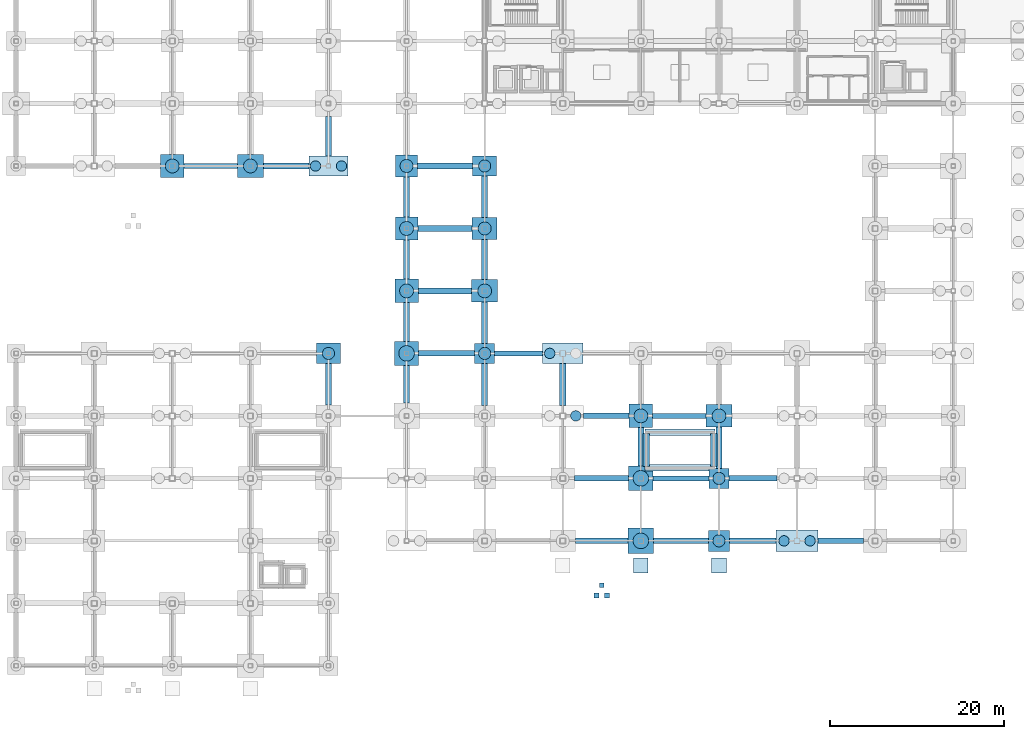
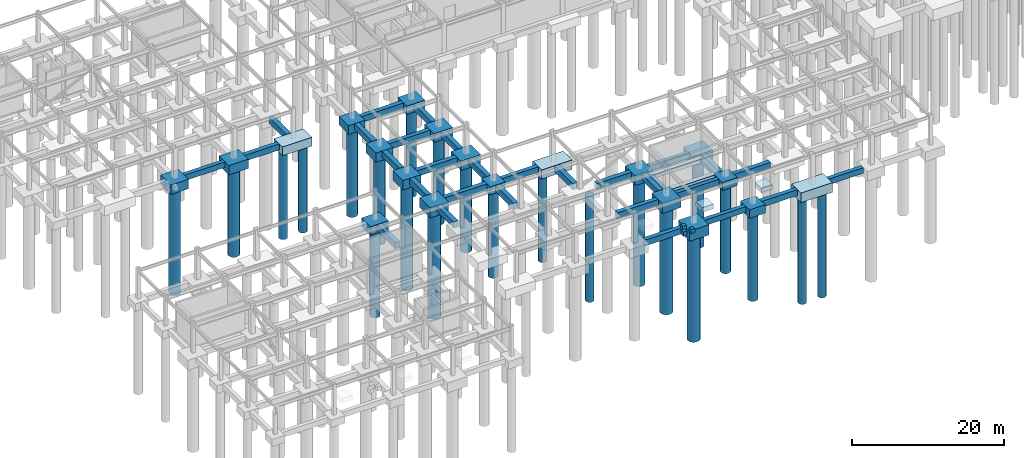
# One storey, part 3 of 28: 58 footings, 23 piles.
"""IFC4 building model written with IfcOpenShell, lengths in metres."""

from ifc_helpers import new_model, si_unit, direction, frame, origin, origin_2d, place, context, subcontext, project, spatial, rectangle, circle, extrude, material, material_profile, profile_set, type_object, element, save


model = new_model("IFC4")

# Units and contexts
model_context = context("Model", 3, precision=1e-05, world=origin(), true_north=direction((0.0, 1.0)))
body_context = subcontext(model_context, "Body", "Model", "MODEL_VIEW")
ifc_project = project(units=[si_unit("LENGTHUNIT", "METRE"), si_unit("AREAUNIT", "SQUARE_METRE"), si_unit("VOLUMEUNIT", "CUBIC_METRE"), si_unit("PLANEANGLEUNIT", "RADIAN"), si_unit("MASSUNIT", "GRAM", prefix="KILO")], contexts=[model_context])

# Site, building, storey
site_placement = place(None, origin())
site = spatial("IfcSite", under=ifc_project, at=site_placement, CompositionType="ELEMENT")
building_placement = place(site_placement, origin())
building = spatial("IfcBuilding", under=site, at=building_placement, Name="Kazanami Central Library", CompositionType="ELEMENT")
storey_placement = place(building_placement, frame((0.0, 0.0, -4.89990234375)))
storey = spatial("IfcBuildingStorey", under=building, at=storey_placement, Name="B01", CompositionType="ELEMENT", Elevation=-4.89990234375)

# Footings
ifc_material_1 = material(Name="Concrete Fc36 (36 MPa)", Category="concrete")
ifc_material_profile_1 = material_profile(ifc_material_1, rectangle(XDim=0.60009765625, YDim=0.89990234375, at=origin_2d()), Name="RC-600x900")
ifc_profile_set_1 = profile_set([ifc_material_profile_1], Name="Concrete Fc36 (36 MPa)")
footing_type_1 = type_object("IfcFootingType", Name="FTG-GB-02", PredefinedType="FOOTING_BEAM", material=ifc_profile_set_1)
footing_1_placement = place(storey_placement, frame((73.47509765625, 14.39990234375, -0.4501953125), z_axis=(1.0, 0.0, 0.0), x_axis=(0.0, 1.0, 0.0)))
element("IfcFooting", 1, at=footing_1_placement, inside=storey, type_object=footing_type_1, Name="Ground Tie Beam GB-02 C/9-10", PredefinedType="FOOTING_BEAM", context=body_context, shape_type="SweptSolid", body=[
    extrude(rectangle(XDim=0.60009765625, YDim=0.89990234375, at=origin_2d()), origin(), (0.0, 0.0, 1.0), 6.324951171875),
])
footing_2_placement = place(storey_placement, frame((92.39990234375, 14.39990234375, -0.4501953125), z_axis=(1.0, 0.0, 0.0), x_axis=(0.0, 1.0, 0.0)))
element("IfcFooting", 2, at=footing_2_placement, inside=storey, type_object=footing_type_1, Name="Ground Tie Beam GB-02 C/11-12", PredefinedType="FOOTING_BEAM", context=body_context, shape_type="SweptSolid", body=[
    extrude(rectangle(XDim=0.60009765625, YDim=0.89990234375, at=origin_2d()), origin(), (0.0, 0.0, 1.0), 5.25),
])
footing_3_placement = place(storey_placement, frame((73.39990234375, 21.60009765625, -0.4501953125), z_axis=(1.0, 0.0, 0.0), x_axis=(0.0, 1.0, 0.0)))
element("IfcFooting", 3, at=footing_3_placement, inside=storey, type_object=footing_type_1, Name="Ground Tie Beam GB-02 D/9-10", PredefinedType="FOOTING_BEAM", context=body_context, shape_type="SweptSolid", body=[
    extrude(rectangle(XDim=0.60009765625, YDim=0.89990234375, at=origin_2d()), origin(), (0.0, 0.0, 1.0), 6.4501953125),
])
footing_4_placement = place(storey_placement, frame((73.35009765625, 28.800048828125, -0.4501953125), z_axis=(1.0, 0.0, 0.0), x_axis=(0.0, 1.0, 0.0)))
element("IfcFooting", 4, at=footing_4_placement, inside=storey, type_object=footing_type_1, Name="Ground Tie Beam GB-02 E/9-10", PredefinedType="FOOTING_BEAM", context=body_context, shape_type="SweptSolid", body=[
    extrude(rectangle(XDim=0.60009765625, YDim=0.89990234375, at=origin_2d()), origin(), (0.0, 0.0, 1.0), 6.14990234375),
])
footing_5_placement = place(storey_placement, frame((55.14990234375, 36.0, -0.4501953125), z_axis=(1.0, 0.0, 0.0), x_axis=(0.0, 1.0, 0.0)))
element("IfcFooting", 5, at=footing_5_placement, inside=storey, type_object=footing_type_1, Name="Ground Tie Beam GB-02 F/7-8", PredefinedType="FOOTING_BEAM", context=body_context, shape_type="SweptSolid", body=[
    extrude(rectangle(XDim=0.60009765625, YDim=0.89990234375, at=origin_2d()), origin(), (0.0, 0.0, 1.0), 5.525146484375),
])
footing_6_placement = place(storey_placement, frame((19.35009765625, 57.60009765625, -0.4501953125), z_axis=(1.0, 0.0, 0.0), x_axis=(0.0, 1.0, 0.0)))
element("IfcFooting", 6, at=footing_6_placement, inside=storey, type_object=footing_type_1, Name="Ground Tie Beam GB-02 J/3-4", PredefinedType="FOOTING_BEAM", context=body_context, shape_type="SweptSolid", body=[
    extrude(rectangle(XDim=0.60009765625, YDim=0.89990234375, at=origin_2d()), origin(), (0.0, 0.0, 1.0), 6.14990234375),
])
ifc_material_profile_2 = material_profile(ifc_material_1, rectangle(XDim=0.64990234375, YDim=0.949951171875, at=origin_2d()), Name="RC-650x950")
ifc_profile_set_2 = profile_set([ifc_material_profile_2], Name="Concrete Fc36 (36 MPa)")
footing_type_2 = type_object("IfcFootingType", Name="FTG-GB-03", PredefinedType="FOOTING_BEAM", material=ifc_profile_set_2)
footing_7_placement = place(storey_placement, frame((64.449951171875, 14.39990234375, -0.47509765625), z_axis=(1.0, 0.0, 0.0), x_axis=(0.0, 1.0, 0.0)))
element("IfcFooting", 7, at=footing_7_placement, inside=storey, type_object=footing_type_2, Name="Ground Tie Beam GB-03 C/8-9", PredefinedType="FOOTING_BEAM", context=body_context, shape_type="SweptSolid", body=[
    extrude(rectangle(XDim=0.64990234375, YDim=0.949951171875, at=origin_2d()), origin(), (0.0, 0.0, 1.0), 6.074951171875),
])
footing_8_placement = place(storey_placement, frame((82.199951171875, 14.39990234375, -0.47509765625), z_axis=(1.0, 0.0, 0.0), x_axis=(0.0, 1.0, 0.0)))
element("IfcFooting", 8, at=footing_8_placement, inside=storey, type_object=footing_type_2, Name="Ground Tie Beam GB-03 C/10-11", PredefinedType="FOOTING_BEAM", context=body_context, shape_type="SweptSolid", body=[
    extrude(rectangle(XDim=0.64990234375, YDim=0.949951171875, at=origin_2d()), origin(), (0.0, 0.0, 1.0), 5.400146484375),
])
footing_9_placement = place(storey_placement, frame((64.375, 21.60009765625, -0.47509765625), z_axis=(1.0, 0.0, 0.0), x_axis=(0.0, 1.0, 0.0)))
element("IfcFooting", 9, at=footing_9_placement, inside=storey, type_object=footing_type_2, Name="Ground Tie Beam GB-03 D/8-9", PredefinedType="FOOTING_BEAM", context=body_context, shape_type="SweptSolid", body=[
    extrude(rectangle(XDim=0.64990234375, YDim=0.949951171875, at=origin_2d()), origin(), (0.0, 0.0, 1.0), 6.22509765625),
])
footing_10_placement = place(storey_placement, frame((82.14990234375, 21.60009765625, -0.47509765625), z_axis=(1.0, 0.0, 0.0), x_axis=(0.0, 1.0, 0.0)))
element("IfcFooting", 10, at=footing_10_placement, inside=storey, type_object=footing_type_2, Name="Ground Tie Beam GB-03 D/10-11", PredefinedType="FOOTING_BEAM", context=body_context, shape_type="SweptSolid", body=[
    extrude(rectangle(XDim=0.64990234375, YDim=0.949951171875, at=origin_2d()), origin(), (0.0, 0.0, 1.0), 5.525146484375),
])
footing_11_placement = place(storey_placement, frame((65.39990234375, 28.800048828125, -0.47509765625), z_axis=(1.0, 0.0, 0.0), x_axis=(0.0, 1.0, 0.0)))
element("IfcFooting", 11, at=footing_11_placement, inside=storey, type_object=footing_type_2, Name="Ground Tie Beam GB-03 E/8-9", PredefinedType="FOOTING_BEAM", context=body_context, shape_type="SweptSolid", body=[
    extrude(rectangle(XDim=0.64990234375, YDim=0.949951171875, at=origin_2d()), origin(), (0.0, 0.0, 1.0), 5.25),
])
footing_12_placement = place(storey_placement, frame((46.39990234375, 36.0, -0.47509765625), z_axis=(1.0, 0.0, 0.0), x_axis=(0.0, 1.0, 0.0)))
element("IfcFooting", 12, at=footing_12_placement, inside=storey, type_object=footing_type_2, Name="Ground Tie Beam GB-03 F/6-7", PredefinedType="FOOTING_BEAM", context=body_context, shape_type="SweptSolid", body=[
    extrude(rectangle(XDim=0.64990234375, YDim=0.949951171875, at=origin_2d()), origin(), (0.0, 0.0, 1.0), 6.4501953125),
])
footing_13_placement = place(storey_placement, frame((46.35009765625, 43.199951171875, -0.47509765625), z_axis=(1.0, 0.0, 0.0), x_axis=(0.0, 1.0, 0.0)))
element("IfcFooting", 13, at=footing_13_placement, inside=storey, type_object=footing_type_2, Name="Ground Tie Beam GB-03 G/6-7", PredefinedType="FOOTING_BEAM", context=body_context, shape_type="SweptSolid", body=[
    extrude(rectangle(XDim=0.64990234375, YDim=0.949951171875, at=origin_2d()), origin(), (0.0, 0.0, 1.0), 6.14990234375),
])
footing_14_placement = place(storey_placement, frame((46.300048828125, 50.39990234375, -0.47509765625), z_axis=(1.0, 0.0, 0.0), x_axis=(0.0, 1.0, 0.0)))
element("IfcFooting", 14, at=footing_14_placement, inside=storey, type_object=footing_type_2, Name="Ground Tie Beam GB-03 H/6-7", PredefinedType="FOOTING_BEAM", context=body_context, shape_type="SweptSolid", body=[
    extrude(rectangle(XDim=0.64990234375, YDim=0.949951171875, at=origin_2d()), origin(), (0.0, 0.0, 1.0), 6.25),
])
footing_15_placement = place(storey_placement, frame((28.5, 57.60009765625, -0.47509765625), z_axis=(1.0, 0.0, 0.0), x_axis=(0.0, 1.0, 0.0)))
element("IfcFooting", 15, at=footing_15_placement, inside=storey, type_object=footing_type_2, Name="Ground Tie Beam GB-03 J/4-5", PredefinedType="FOOTING_BEAM", context=body_context, shape_type="SweptSolid", body=[
    extrude(rectangle(XDim=0.64990234375, YDim=0.949951171875, at=origin_2d()), origin(), (0.0, 0.0, 1.0), 5.25),
])
footing_16_placement = place(storey_placement, frame((46.25, 57.60009765625, -0.47509765625), z_axis=(1.0, 0.0, 0.0), x_axis=(0.0, 1.0, 0.0)))
element("IfcFooting", 16, at=footing_16_placement, inside=storey, type_object=footing_type_2, Name="Ground Tie Beam GB-03 J/6-7", PredefinedType="FOOTING_BEAM", context=body_context, shape_type="SweptSolid", body=[
    extrude(rectangle(XDim=0.64990234375, YDim=0.949951171875, at=origin_2d()), origin(), (0.0, 0.0, 1.0), 6.375),
])
ifc_material_profile_3 = material_profile(ifc_material_1, rectangle(XDim=0.699951171875, YDim=1.0, at=origin_2d()), Name="RC-700x1000")
ifc_profile_set_3 = profile_set([ifc_material_profile_3], Name="Concrete Fc36 (36 MPa)")
footing_type_3 = type_object("IfcFootingType", Name="FTG-GB-04", PredefinedType="FOOTING_BEAM", material=ifc_profile_set_3)
footing_17_placement = place(storey_placement, frame((36.0, 30.050048828125, -0.5), z_axis=(0.0, 1.0, 0.0), x_axis=(-1.0, 0.0, 0.0)))
element("IfcFooting", 17, at=footing_17_placement, inside=storey, type_object=footing_type_3, Name="Ground Tie Beam GB-04 5/E-F", PredefinedType="FOOTING_BEAM", context=body_context, shape_type="SweptSolid", body=[
    extrude(rectangle(XDim=0.699951171875, YDim=1.0, at=origin_2d()), origin(), (0.0, 0.0, 1.0), 4.77490234375),
])
footing_18_placement = place(storey_placement, frame((36.0, 58.72509765625, -0.5), z_axis=(0.0, 1.0, 0.0), x_axis=(-1.0, 0.0, 0.0)))
element("IfcFooting", 18, at=footing_18_placement, inside=storey, type_object=footing_type_3, Name="Ground Tie Beam GB-04 5/J-K", PredefinedType="FOOTING_BEAM", context=body_context, shape_type="SweptSolid", body=[
    extrude(rectangle(XDim=0.699951171875, YDim=1.0, at=origin_2d()), origin(), (0.0, 0.0, 1.0), 4.599853515625),
])
footing_19_placement = place(storey_placement, frame((45.0, 30.27490234375, -0.5), z_axis=(0.0, 1.0, 0.0), x_axis=(-1.0, 0.0, 0.0)))
element("IfcFooting", 19, at=footing_19_placement, inside=storey, type_object=footing_type_3, Name="Ground Tie Beam GB-04 6/E-F", PredefinedType="FOOTING_BEAM", context=body_context, shape_type="SweptSolid", body=[
    extrude(rectangle(XDim=0.699951171875, YDim=1.0, at=origin_2d()), origin(), (0.0, 0.0, 1.0), 4.3251953125),
])
footing_20_placement = place(storey_placement, frame((45.0, 37.39990234375, -0.5), z_axis=(0.0, 1.0, 0.0), x_axis=(-1.0, 0.0, 0.0)))
element("IfcFooting", 20, at=footing_20_placement, inside=storey, type_object=footing_type_3, Name="Ground Tie Beam GB-04 6/F-G", PredefinedType="FOOTING_BEAM", context=body_context, shape_type="SweptSolid", body=[
    extrude(rectangle(XDim=0.699951171875, YDim=1.0, at=origin_2d()), origin(), (0.0, 0.0, 1.0), 4.4501953125),
])
footing_21_placement = place(storey_placement, frame((45.0, 44.550048828125, -0.5), z_axis=(0.0, 1.0, 0.0), x_axis=(-1.0, 0.0, 0.0)))
element("IfcFooting", 21, at=footing_21_placement, inside=storey, type_object=footing_type_3, Name="Ground Tie Beam GB-04 6/G-H", PredefinedType="FOOTING_BEAM", context=body_context, shape_type="SweptSolid", body=[
    extrude(rectangle(XDim=0.699951171875, YDim=1.0, at=origin_2d()), origin(), (0.0, 0.0, 1.0), 4.550048828125),
])
footing_22_placement = place(storey_placement, frame((45.0, 51.699951171875, -0.5), z_axis=(0.0, 1.0, 0.0), x_axis=(-1.0, 0.0, 0.0)))
element("IfcFooting", 22, at=footing_22_placement, inside=storey, type_object=footing_type_3, Name="Ground Tie Beam GB-04 6/H-J", PredefinedType="FOOTING_BEAM", context=body_context, shape_type="SweptSolid", body=[
    extrude(rectangle(XDim=0.699951171875, YDim=1.0, at=origin_2d()), origin(), (0.0, 0.0, 1.0), 4.650146484375),
])
footing_23_placement = place(storey_placement, frame((54.0, 30.0, -0.5), z_axis=(0.0, 1.0, 0.0), x_axis=(-1.0, 0.0, 0.0)))
element("IfcFooting", 23, at=footing_23_placement, inside=storey, type_object=footing_type_3, Name="Ground Tie Beam GB-04 7/E-F", PredefinedType="FOOTING_BEAM", context=body_context, shape_type="SweptSolid", body=[
    extrude(rectangle(XDim=0.699951171875, YDim=1.0, at=origin_2d()), origin(), (0.0, 0.0, 1.0), 4.85009765625),
])
footing_24_placement = place(storey_placement, frame((54.0, 37.14990234375, -0.5), z_axis=(0.0, 1.0, 0.0), x_axis=(-1.0, 0.0, 0.0)))
element("IfcFooting", 24, at=footing_24_placement, inside=storey, type_object=footing_type_3, Name="Ground Tie Beam GB-04 7/F-G", PredefinedType="FOOTING_BEAM", context=body_context, shape_type="SweptSolid", body=[
    extrude(rectangle(XDim=0.699951171875, YDim=1.0, at=origin_2d()), origin(), (0.0, 0.0, 1.0), 4.75),
])
footing_25_placement = place(storey_placement, frame((54.0, 44.5, -0.5), z_axis=(0.0, 1.0, 0.0), x_axis=(-1.0, 0.0, 0.0)))
element("IfcFooting", 25, at=footing_25_placement, inside=storey, type_object=footing_type_3, Name="Ground Tie Beam GB-04 7/G-H", PredefinedType="FOOTING_BEAM", context=body_context, shape_type="SweptSolid", body=[
    extrude(rectangle(XDim=0.699951171875, YDim=1.0, at=origin_2d()), origin(), (0.0, 0.0, 1.0), 4.64990234375),
])
footing_26_placement = place(storey_placement, frame((54.0, 51.64990234375, -0.5), z_axis=(0.0, 1.0, 0.0), x_axis=(-1.0, 0.0, 0.0)))
element("IfcFooting", 26, at=footing_26_placement, inside=storey, type_object=footing_type_3, Name="Ground Tie Beam GB-04 7/H-J", PredefinedType="FOOTING_BEAM", context=body_context, shape_type="SweptSolid", body=[
    extrude(rectangle(XDim=0.699951171875, YDim=1.0, at=origin_2d()), origin(), (0.0, 0.0, 1.0), 4.775146484375),
])
footing_27_placement = place(storey_placement, frame((63.0, 30.02490234375, -0.5), z_axis=(0.0, 1.0, 0.0), x_axis=(-1.0, 0.0, 0.0)))
element("IfcFooting", 27, at=footing_27_placement, inside=storey, type_object=footing_type_3, Name="Ground Tie Beam GB-04 8/E-F", PredefinedType="FOOTING_BEAM", context=body_context, shape_type="SweptSolid", body=[
    extrude(rectangle(XDim=0.699951171875, YDim=1.0, at=origin_2d()), origin(), (0.0, 0.0, 1.0), 4.800048828125),
])
footing_28_placement = place(storey_placement, frame((72.0, 23.0, -0.5), z_axis=(0.0, 1.0, 0.0), x_axis=(-1.0, 0.0, 0.0)))
element("IfcFooting", 28, at=footing_28_placement, inside=storey, type_object=footing_type_3, Name="Ground Tie Beam GB-04 9/D-E", PredefinedType="FOOTING_BEAM", context=body_context, shape_type="SweptSolid", body=[
    extrude(rectangle(XDim=0.699951171875, YDim=1.0, at=origin_2d()), origin(), (0.0, 0.0, 1.0), 4.449951171875),
])
footing_29_placement = place(storey_placement, frame((81.0, 22.75, -0.5), z_axis=(0.0, 1.0, 0.0), x_axis=(-1.0, 0.0, 0.0)))
element("IfcFooting", 29, at=footing_29_placement, inside=storey, type_object=footing_type_3, Name="Ground Tie Beam GB-04 10/D-E", PredefinedType="FOOTING_BEAM", context=body_context, shape_type="SweptSolid", body=[
    extrude(rectangle(XDim=0.699951171875, YDim=1.0, at=origin_2d()), origin(), (0.0, 0.0, 1.0), 4.75),
])
footing_type_4 = type_object("IfcFootingType", Name="FTG-PC-04", PredefinedType="PILE_CAP", material=ifc_material_1)
footing_30_placement = place(storey_placement, frame((90.0, 14.39990234375, -1.55029296875), z_axis=(0.0, 0.0, 1.0), x_axis=(1.0, 0.0, 0.0)))
element("IfcFooting", 30, at=footing_30_placement, inside=storey, type_object=footing_type_4, Name="Pile Cap PC-04 at 11/C", PredefinedType="PILE_CAP", context=body_context, shape_type="SweptSolid", body=[
    extrude(rectangle(XDim=4.800048828125, YDim=2.449951171875, at=origin_2d()), origin(), (0.0, 0.0, 1.0), 1.550048828125),
])
footing_type_5 = type_object("IfcFootingType", Name="FTG-PC-05", PredefinedType="PILE_CAP", material=ifc_material_1)
footing_31_placement = place(storey_placement, frame((63.0, 36.0, -1.47998046875), z_axis=(0.0, 0.0, 1.0), x_axis=(1.0, 0.0, 0.0)))
element("IfcFooting", 31, at=footing_31_placement, inside=storey, type_object=footing_type_5, Name="Pile Cap PC-05 at 8/F", PredefinedType="PILE_CAP", context=body_context, shape_type="SweptSolid", body=[
    extrude(rectangle(XDim=4.64990234375, YDim=2.35009765625, at=origin_2d()), origin(), (0.0, 0.0, 1.0), 1.47998046875),
])
footing_type_6 = type_object("IfcFootingType", Name="FTG-PC-06", PredefinedType="PILE_CAP", material=ifc_material_1)
footing_32_placement = place(storey_placement, frame((36.0, 57.60009765625, -1.420166015625), z_axis=(0.0, 0.0, 1.0), x_axis=(1.0, 0.0, 0.0)))
element("IfcFooting", 32, at=footing_32_placement, inside=storey, type_object=footing_type_6, Name="Pile Cap PC-06 at 5/J", PredefinedType="PILE_CAP", context=body_context, shape_type="SweptSolid", body=[
    extrude(rectangle(XDim=4.5, YDim=2.25, at=origin_2d()), origin(), (0.0, 0.0, 1.0), 1.419921875),
])
footing_type_7 = type_object("IfcFootingType", Name="FTG-PC-07", PredefinedType="PILE_CAP", material=ifc_material_1)
footing_33_placement = place(storey_placement, frame((72.0, 14.39990234375, -1.650146484375), z_axis=(0.0, 0.0, 1.0), x_axis=(1.0, 0.0, 0.0)))
element("IfcFooting", 33, at=footing_33_placement, inside=storey, type_object=footing_type_7, Name="Pile Cap PC-07 at 9/C", PredefinedType="PILE_CAP", context=body_context, shape_type="SweptSolid", body=[
    extrude(rectangle(XDim=2.949951171875, YDim=2.949951171875, at=origin_2d()), origin(), (0.0, 0.0, 1.0), 1.64990234375),
])
footing_type_8 = type_object("IfcFootingType", Name="FTG-PC-08", PredefinedType="PILE_CAP", material=ifc_material_1)
for number, where, z_axis, x_axis, name in (
    (34, (45.0, 36.0, -1.60009765625), (0.0, 0.0, 1.0), (1.0, 0.0, 0.0), "Pile Cap PC-08 at 6/F"),
    (35, (72.0, 21.60009765625, -1.60009765625), (0.0, 0.0, 1.0), (1.0, 0.0, 0.0), "Pile Cap PC-08 at 9/D"),
):
    element("IfcFooting", number, at=place(storey_placement, frame(where, z_axis=z_axis, x_axis=x_axis)), inside=storey, type_object=footing_type_8, Name=name, PredefinedType="PILE_CAP", context=body_context, shape_type="SweptSolid", body=[
        extrude(rectangle(XDim=2.800048828125, YDim=2.800048828125, at=origin_2d()), origin(), (0.0, 0.0, 1.0), 1.60009765625),
    ])
footing_type_9 = type_object("IfcFootingType", Name="FTG-PC-09", PredefinedType="PILE_CAP", material=ifc_material_1)
for number, where, z_axis, x_axis, name in (
    (36, (18.0, 57.60009765625, -1.52001953125), (0.0, 0.0, 1.0), (1.0, 0.0, 0.0), "Pile Cap PC-09 at 3/J"),
    (37, (45.0, 43.199951171875, -1.52001953125), (0.0, 0.0, 1.0), (1.0, 0.0, 0.0), "Pile Cap PC-09 at 6/G"),
    (38, (72.0, 28.800048828125, -1.52001953125), (0.0, 0.0, 1.0), (1.0, 0.0, 0.0), "Pile Cap PC-09 at 9/E"),
):
    element("IfcFooting", number, at=place(storey_placement, frame(where, z_axis=z_axis, x_axis=x_axis)), inside=storey, type_object=footing_type_9, Name=name, PredefinedType="PILE_CAP", context=body_context, shape_type="SweptSolid", body=[
        extrude(rectangle(XDim=2.699951171875, YDim=2.699951171875, at=origin_2d()), origin(), (0.0, 0.0, 1.0), 1.52001953125),
    ])
footing_type_10 = type_object("IfcFootingType", Name="FTG-PC-10", PredefinedType="PILE_CAP", material=ifc_material_1)
footing_34_placement = place(storey_placement, frame((45.0, 50.39990234375, -1.47998046875), z_axis=(0.0, 0.0, 1.0), x_axis=(1.0, 0.0, 0.0)))
element("IfcFooting", 39, at=footing_34_placement, inside=storey, type_object=footing_type_10, Name="Pile Cap PC-10 at 6/H", PredefinedType="PILE_CAP", context=body_context, shape_type="SweptSolid", body=[
    extrude(rectangle(XDim=2.60009765625, YDim=2.60009765625, at=origin_2d()), origin(), (0.0, 0.0, 1.0), 1.47998046875),
])
footing_type_11 = type_object("IfcFootingType", Name="FTG-PC-11", PredefinedType="PILE_CAP", material=ifc_material_1)
footing_35_placement = place(storey_placement, frame((45.0, 57.60009765625, -1.420166015625), z_axis=(0.0, 0.0, 1.0), x_axis=(1.0, 0.0, 0.0)))
element("IfcFooting", 40, at=footing_35_placement, inside=storey, type_object=footing_type_11, Name="Pile Cap PC-11 at 6/J", PredefinedType="PILE_CAP", context=body_context, shape_type="SweptSolid", body=[
    extrude(rectangle(XDim=2.5, YDim=2.5, at=origin_2d()), origin(), (0.0, 0.0, 1.0), 1.419921875),
])
footing_type_12 = type_object("IfcFootingType", Name="FTG-PC-12", PredefinedType="PILE_CAP", material=ifc_material_1)
footing_36_placement = place(storey_placement, frame((81.0, 14.39990234375, -1.3603515625), z_axis=(0.0, 0.0, 1.0), x_axis=(1.0, 0.0, 0.0)))
element("IfcFooting", 41, at=footing_36_placement, inside=storey, type_object=footing_type_12, Name="Pile Cap PC-12 at 10/C", PredefinedType="PILE_CAP", context=body_context, shape_type="SweptSolid", body=[
    extrude(rectangle(XDim=2.39990234375, YDim=2.39990234375, at=origin_2d()), origin(), (0.0, 0.0, 1.0), 1.360107421875),
])
footing_type_13 = type_object("IfcFootingType", Name="FTG-PC-13", PredefinedType="PILE_CAP", material=ifc_material_1)
for number, where, z_axis, x_axis, name in (
    (42, (54.0, 36.0, -1.30029296875), (0.0, 0.0, 1.0), (1.0, 0.0, 0.0), "Pile Cap PC-13 at 7/F"),
    (43, (81.0, 21.60009765625, -1.30029296875), (0.0, 0.0, 1.0), (1.0, 0.0, 0.0), "Pile Cap PC-13 at 10/D"),
):
    element("IfcFooting", number, at=place(storey_placement, frame(where, z_axis=z_axis, x_axis=x_axis)), inside=storey, type_object=footing_type_13, Name=name, PredefinedType="PILE_CAP", context=body_context, shape_type="SweptSolid", body=[
        extrude(rectangle(XDim=2.300048828125, YDim=2.300048828125, at=origin_2d()), origin(), (0.0, 0.0, 1.0), 1.300048828125),
    ])
footing_type_14 = type_object("IfcFootingType", Name="FTG-PC-18", PredefinedType="PILE_CAP", material=ifc_material_1)
for number, where, z_axis, x_axis, name in (
    (44, (27.0, 57.60009765625, -1.5), (0.0, 0.0, 1.0), (1.0, 0.0, 0.0), "Pile Cap PC-18 at 4/J"),
    (45, (54.0, 43.199951171875, -1.5), (0.0, 0.0, 1.0), (1.0, 0.0, 0.0), "Pile Cap PC-18 at 7/G"),
    (46, (81.0, 28.800048828125, -1.5), (0.0, 0.0, 1.0), (1.0, 0.0, 0.0), "Pile Cap PC-18 at 10/E"),
):
    element("IfcFooting", number, at=place(storey_placement, frame(where, z_axis=z_axis, x_axis=x_axis)), inside=storey, type_object=footing_type_14, Name=name, PredefinedType="PILE_CAP", context=body_context, shape_type="SweptSolid", body=[
        extrude(rectangle(XDim=3.0, YDim=2.60009765625, at=origin_2d()), origin(), (0.0, 0.0, 1.0), 1.5),
    ])
footing_type_15 = type_object("IfcFootingType", Name="FTG-PC-19", PredefinedType="PILE_CAP", material=ifc_material_1)
footing_37_placement = place(storey_placement, frame((54.0, 50.39990234375, -1.440185546875), z_axis=(0.0, 0.0, 1.0), x_axis=(1.0, 0.0, 0.0)))
element("IfcFooting", 47, at=footing_37_placement, inside=storey, type_object=footing_type_15, Name="Pile Cap PC-19 at 7/H", PredefinedType="PILE_CAP", context=body_context, shape_type="SweptSolid", body=[
    extrude(rectangle(XDim=2.89990234375, YDim=2.5, at=origin_2d()), origin(), (0.0, 0.0, 1.0), 1.43994140625),
])
footing_type_16 = type_object("IfcFootingType", Name="FTG-PC-20", PredefinedType="PILE_CAP", material=ifc_material_1)
for number, where, z_axis, x_axis, name in (
    (48, (36.0, 36.0, -1.380126953125), (0.0, 0.0, 1.0), (1.0, 0.0, 0.0), "Pile Cap PC-20 at 5/F"),
    (49, (54.0, 57.60009765625, -1.380126953125), (0.0, 0.0, 1.0), (1.0, 0.0, 0.0), "Pile Cap PC-20 at 7/J"),
):
    element("IfcFooting", number, at=place(storey_placement, frame(where, z_axis=z_axis, x_axis=x_axis)), inside=storey, type_object=footing_type_16, Name=name, PredefinedType="PILE_CAP", context=body_context, shape_type="SweptSolid", body=[
        extrude(rectangle(XDim=2.75, YDim=2.35009765625, at=origin_2d()), origin(), (0.0, 0.0, 1.0), 1.3798828125),
    ])
ifc_material_2 = material(Name="Concrete Fc30 (30 MPa)", Category="concrete")
footing_type_17 = type_object("IfcFootingType", Name="FTG-PF-01", PredefinedType="PAD_FOOTING", material=ifc_material_2)
for number, where, z_axis, x_axis, name in (
    (50, (72.0, 11.550048828125, 4.125), (0.0, 0.0, 1.0), (1.0, 0.0, 0.0), "Canopy Post Pad Footing CAN-V1-SOUTH X=72"),
    (51, (81.0, 11.550048828125, 4.125), (0.0, 0.0, 1.0), (1.0, 0.0, 0.0), "Canopy Post Pad Footing CAN-V1-SOUTH X=81"),
):
    element("IfcFooting", number, at=place(storey_placement, frame(where, z_axis=z_axis, x_axis=x_axis)), inside=storey, type_object=footing_type_17, Name=name, PredefinedType="PAD_FOOTING", context=body_context, shape_type="SweptSolid", body=[
        extrude(rectangle(XDim=1.699951171875, YDim=1.699951171875, at=origin_2d()), origin(), (0.0, 0.0, 1.0), 0.75),
    ])
footing_type_18 = type_object("IfcFootingType", Name="FTG-PF-R1", PredefinedType="PAD_FOOTING", material=ifc_material_2)
for number, where, z_axis, x_axis, name in (
    (52, (66.89990234375, 8.10009765625, 3.60009765625), (0.0, 0.0, 1.0), (1.0, 0.0, 0.0), "Ramp Apron Pad Footing RMP-COLONNADE.1"),
    (53, (68.10009765625, 8.10009765625, 3.60009765625), (0.0, 0.0, 1.0), (1.0, 0.0, 0.0), "Ramp Apron Pad Footing RMP-COLONNADE.2"),
    (54, (67.5, 9.280029296875, 3.60009765625), (0.0, 0.0, 1.0), (1.0, 0.0, 0.0), "Ramp Apron Pad Footing RMP-COLONNADE.3"),
):
    element("IfcFooting", number, at=place(storey_placement, frame(where, z_axis=z_axis, x_axis=x_axis)), inside=storey, type_object=footing_type_18, Name=name, PredefinedType="PAD_FOOTING", context=body_context, shape_type="SweptSolid", body=[
        extrude(rectangle(XDim=0.550048828125, YDim=0.550048828125, at=origin_2d()), origin(), (0.0, 0.0, 1.0), 0.699951171875),
    ])
ifc_material_profile_4 = material_profile(ifc_material_1, rectangle(XDim=0.75, YDim=0.64990234375, at=origin_2d()), Name="RC-750x650")
ifc_profile_set_4 = profile_set([ifc_material_profile_4], Name="Concrete Fc36 (36 MPa)")
footing_type_19 = type_object("IfcFootingType", Name="FTG-SF-750", PredefinedType="STRIP_FOOTING", material=ifc_profile_set_4)
for number, where, z_axis, x_axis, name in (
    (55, (72.449951171875, 22.800048828125, -0.3251953125), (1.0, 0.0, 0.0), (0.0, 1.0, 0.0), "Stair Core Strip Footing ST-09 S"),
    (56, (72.449951171875, 26.89990234375, -0.3251953125), (1.0, 0.0, 0.0), (0.0, 1.0, 0.0), "Stair Core Strip Footing ST-09 N"),
):
    element("IfcFooting", number, at=place(storey_placement, frame(where, z_axis=z_axis, x_axis=x_axis)), inside=storey, type_object=footing_type_19, Name=name, PredefinedType="STRIP_FOOTING", context=body_context, shape_type="SweptSolid", body=[
        extrude(rectangle(XDim=0.75, YDim=0.64990234375, at=origin_2d()), origin(), (0.0, 0.0, 1.0), 8.10009765625),
    ])
for number, where, z_axis, x_axis, name in (
    (57, (72.60009765625, 22.949951171875, -0.3251953125), (0.0, 1.0, 0.0), (-1.0, 0.0, 0.0), "Stair Core Strip Footing ST-09 W"),
    (58, (80.39990234375, 22.949951171875, -0.3251953125), (0.0, 1.0, 0.0), (-1.0, 0.0, 0.0), "Stair Core Strip Footing ST-09 E"),
):
    element("IfcFooting", number, at=place(storey_placement, frame(where, z_axis=z_axis, x_axis=x_axis)), inside=storey, type_object=footing_type_19, Name=name, PredefinedType="STRIP_FOOTING", context=body_context, shape_type="SweptSolid", body=[
        extrude(rectangle(XDim=0.75, YDim=0.64990234375, at=origin_2d()), origin(), (0.0, 0.0, 1.0), 3.800048828125),
    ])

# Piles
ifc_material_profile_5 = material_profile(ifc_material_1, circle(Radius=0.60009765625, at=origin_2d()), Name="BORED-D1200")
ifc_profile_set_5 = profile_set([ifc_material_profile_5], Name="Concrete Fc36 (36 MPa)")
pile_type_1 = type_object("IfcPileType", Name="PIL-PL-12", PredefinedType="BORED", material=ifc_profile_set_5)
for number, where, z_axis, x_axis, name in (
    (59, (34.5, 57.60009765625, -1.420166015625), (0.0, 0.0, -1.0), (1.0, 0.0, 0.0), "Bored Pile PL-12 5/J-1"),
    (60, (37.5, 57.60009765625, -1.420166015625), (0.0, 0.0, -1.0), (1.0, 0.0, 0.0), "Bored Pile PL-12 5/J-2"),
):
    element("IfcPile", number, at=place(storey_placement, frame(where, z_axis=z_axis, x_axis=x_axis)), inside=storey, type_object=pile_type_1, Name=name, PredefinedType="BORED", context=body_context, shape_type="SweptSolid", body=[
        extrude(circle(Radius=0.60009765625, at=origin_2d()), origin(), (0.0, 0.0, 1.0), 14.0),
    ])
pile_1_placement = place(storey_placement, frame((64.5, 28.800048828125, -1.550048828125), z_axis=(0.0, 0.0, -1.0), x_axis=(1.0, 0.0, 0.0)))
element("IfcPile", 61, at=pile_1_placement, inside=storey, type_object=pile_type_1, Name="Bored Pile PL-12 8/E-2", PredefinedType="BORED", context=body_context, shape_type="SweptSolid", body=[
    extrude(circle(Radius=0.60009765625, at=origin_2d()), origin(), (0.0, 0.0, 1.0), 17.0),
])
pile_2_placement = place(storey_placement, frame((61.5, 36.0, -1.47998046875), z_axis=(0.0, 0.0, -1.0), x_axis=(1.0, 0.0, 0.0)))
element("IfcPile", 62, at=pile_2_placement, inside=storey, type_object=pile_type_1, Name="Bored Pile PL-12 8/F-1", PredefinedType="BORED", context=body_context, shape_type="SweptSolid", body=[
    extrude(circle(Radius=0.60009765625, at=origin_2d()), origin(), (0.0, 0.0, 1.0), 14.0),
])
for number, where, z_axis, x_axis, name in (
    (63, (88.5, 14.39990234375, -1.550048828125), (0.0, 0.0, -1.0), (1.0, 0.0, 0.0), "Bored Pile PL-12 11/C-1"),
    (64, (91.5, 14.39990234375, -1.550048828125), (0.0, 0.0, -1.0), (1.0, 0.0, 0.0), "Bored Pile PL-12 11/C-2"),
):
    element("IfcPile", number, at=place(storey_placement, frame(where, z_axis=z_axis, x_axis=x_axis)), inside=storey, type_object=pile_type_1, Name=name, PredefinedType="BORED", context=body_context, shape_type="SweptSolid", body=[
        extrude(circle(Radius=0.60009765625, at=origin_2d()), origin(), (0.0, 0.0, 1.0), 17.0),
    ])
ifc_material_profile_6 = material_profile(ifc_material_1, circle(Radius=0.699951171875, at=origin_2d()), Name="BORED-D1400")
ifc_profile_set_6 = profile_set([ifc_material_profile_6], Name="Concrete Fc36 (36 MPa)")
pile_type_2 = type_object("IfcPileType", Name="PIL-PL-14", PredefinedType="BORED", material=ifc_profile_set_6)
for number, where, z_axis, x_axis, name in (
    (65, (36.0, 36.0, -1.380126953125), (0.0, 0.0, -1.0), (1.0, 0.0, 0.0), "Bored Pile PL-14 5/F-1"),
    (66, (54.0, 36.0, -1.300048828125), (0.0, 0.0, -1.0), (1.0, 0.0, 0.0), "Bored Pile PL-14 7/F-1"),
    (67, (54.0, 57.60009765625, -1.380126953125), (0.0, 0.0, -1.0), (1.0, 0.0, 0.0), "Bored Pile PL-14 7/J-1"),
    (68, (81.0, 14.39990234375, -1.360107421875), (0.0, 0.0, -1.0), (1.0, 0.0, 0.0), "Bored Pile PL-14 10/C-1"),
    (69, (81.0, 21.60009765625, -1.300048828125), (0.0, 0.0, -1.0), (1.0, 0.0, 0.0), "Bored Pile PL-14 10/D-1"),
):
    element("IfcPile", number, at=place(storey_placement, frame(where, z_axis=z_axis, x_axis=x_axis)), inside=storey, type_object=pile_type_2, Name=name, PredefinedType="BORED", context=body_context, shape_type="SweptSolid", body=[
        extrude(circle(Radius=0.699951171875, at=origin_2d()), origin(), (0.0, 0.0, 1.0), 14.0),
    ])
ifc_material_profile_7 = material_profile(ifc_material_1, circle(Radius=0.75, at=origin_2d()), Name="BORED-D1500")
ifc_profile_set_7 = profile_set([ifc_material_profile_7], Name="Concrete Fc36 (36 MPa)")
pile_type_3 = type_object("IfcPileType", Name="PIL-PL-15", PredefinedType="BORED", material=ifc_profile_set_7)
for number, where, z_axis, x_axis, name in (
    (70, (45.0, 57.60009765625, -1.420166015625), (0.0, 0.0, -1.0), (1.0, 0.0, 0.0), "Bored Pile PL-15 6/J-1"),
    (71, (54.0, 50.39990234375, -1.440185546875), (0.0, 0.0, -1.0), (1.0, 0.0, 0.0), "Bored Pile PL-15 7/H-1"),
):
    element("IfcPile", number, at=place(storey_placement, frame(where, z_axis=z_axis, x_axis=x_axis)), inside=storey, type_object=pile_type_3, Name=name, PredefinedType="BORED", context=body_context, shape_type="SweptSolid", body=[
        extrude(circle(Radius=0.75, at=origin_2d()), origin(), (0.0, 0.0, 1.0), 14.0),
    ])
ifc_material_profile_8 = material_profile(ifc_material_1, circle(Radius=0.800048828125, at=origin_2d()), Name="BORED-D1600")
ifc_profile_set_8 = profile_set([ifc_material_profile_8], Name="Concrete Fc36 (36 MPa)")
pile_type_4 = type_object("IfcPileType", Name="PIL-PL-16", PredefinedType="BORED", material=ifc_profile_set_8)
pile_3_placement = place(storey_placement, frame((18.0, 57.60009765625, -1.52001953125), z_axis=(0.0, 0.0, -1.0), x_axis=(1.0, 0.0, 0.0)))
element("IfcPile", 72, at=pile_3_placement, inside=storey, type_object=pile_type_4, Name="Bored Pile PL-16 3/J-1", PredefinedType="BORED", context=body_context, shape_type="SweptSolid", body=[
    extrude(circle(Radius=0.800048828125, at=origin_2d()), origin(), (0.0, 0.0, 1.0), 17.0),
])
pile_4_placement = place(storey_placement, frame((27.0, 57.60009765625, -1.5), z_axis=(0.0, 0.0, -1.0), x_axis=(1.0, 0.0, 0.0)))
element("IfcPile", 73, at=pile_4_placement, inside=storey, type_object=pile_type_4, Name="Bored Pile PL-16 4/J-1", PredefinedType="BORED", context=body_context, shape_type="SweptSolid", body=[
    extrude(circle(Radius=0.800048828125, at=origin_2d()), origin(), (0.0, 0.0, 1.0), 14.0),
])
pile_5_placement = place(storey_placement, frame((45.0, 43.199951171875, -1.52001953125), z_axis=(0.0, 0.0, -1.0), x_axis=(1.0, 0.0, 0.0)))
element("IfcPile", 74, at=pile_5_placement, inside=storey, type_object=pile_type_4, Name="Bored Pile PL-16 6/G-1", PredefinedType="BORED", context=body_context, shape_type="SweptSolid", body=[
    extrude(circle(Radius=0.800048828125, at=origin_2d()), origin(), (0.0, 0.0, 1.0), 17.0),
])
for number, where, z_axis, x_axis, name in (
    (75, (45.0, 50.39990234375, -1.47998046875), (0.0, 0.0, -1.0), (1.0, 0.0, 0.0), "Bored Pile PL-16 6/H-1"),
    (76, (54.0, 43.199951171875, -1.5), (0.0, 0.0, -1.0), (1.0, 0.0, 0.0), "Bored Pile PL-16 7/G-1"),
):
    element("IfcPile", number, at=place(storey_placement, frame(where, z_axis=z_axis, x_axis=x_axis)), inside=storey, type_object=pile_type_4, Name=name, PredefinedType="BORED", context=body_context, shape_type="SweptSolid", body=[
        extrude(circle(Radius=0.800048828125, at=origin_2d()), origin(), (0.0, 0.0, 1.0), 14.0),
    ])
pile_6_placement = place(storey_placement, frame((72.0, 28.800048828125, -1.52001953125), z_axis=(0.0, 0.0, -1.0), x_axis=(1.0, 0.0, 0.0)))
element("IfcPile", 77, at=pile_6_placement, inside=storey, type_object=pile_type_4, Name="Bored Pile PL-16 9/E-1", PredefinedType="BORED", context=body_context, shape_type="SweptSolid", body=[
    extrude(circle(Radius=0.800048828125, at=origin_2d()), origin(), (0.0, 0.0, 1.0), 17.0),
])
pile_7_placement = place(storey_placement, frame((81.0, 28.800048828125, -1.5), z_axis=(0.0, 0.0, -1.0), x_axis=(1.0, 0.0, 0.0)))
element("IfcPile", 78, at=pile_7_placement, inside=storey, type_object=pile_type_4, Name="Bored Pile PL-16 10/E-1", PredefinedType="BORED", context=body_context, shape_type="SweptSolid", body=[
    extrude(circle(Radius=0.800048828125, at=origin_2d()), origin(), (0.0, 0.0, 1.0), 14.0),
])
ifc_material_profile_9 = material_profile(ifc_material_1, circle(Radius=0.89990234375, at=origin_2d()), Name="BORED-D1800")
ifc_profile_set_9 = profile_set([ifc_material_profile_9], Name="Concrete Fc36 (36 MPa)")
pile_type_5 = type_object("IfcPileType", Name="PIL-PL-18", PredefinedType="BORED", material=ifc_profile_set_9)
for number, where, z_axis, x_axis, name in (
    (79, (45.0, 36.0, -1.60009765625), (0.0, 0.0, -1.0), (1.0, 0.0, 0.0), "Bored Pile PL-18 6/F-1"),
    (80, (72.0, 14.39990234375, -1.650146484375), (0.0, 0.0, -1.0), (1.0, 0.0, 0.0), "Bored Pile PL-18 9/C-1"),
    (81, (72.0, 21.60009765625, -1.60009765625), (0.0, 0.0, -1.0), (1.0, 0.0, 0.0), "Bored Pile PL-18 9/D-1"),
):
    element("IfcPile", number, at=place(storey_placement, frame(where, z_axis=z_axis, x_axis=x_axis)), inside=storey, type_object=pile_type_5, Name=name, PredefinedType="BORED", context=body_context, shape_type="SweptSolid", body=[
        extrude(circle(Radius=0.89990234375, at=origin_2d()), origin(), (0.0, 0.0, 1.0), 17.0),
    ])

save(model, "model.ifc")
